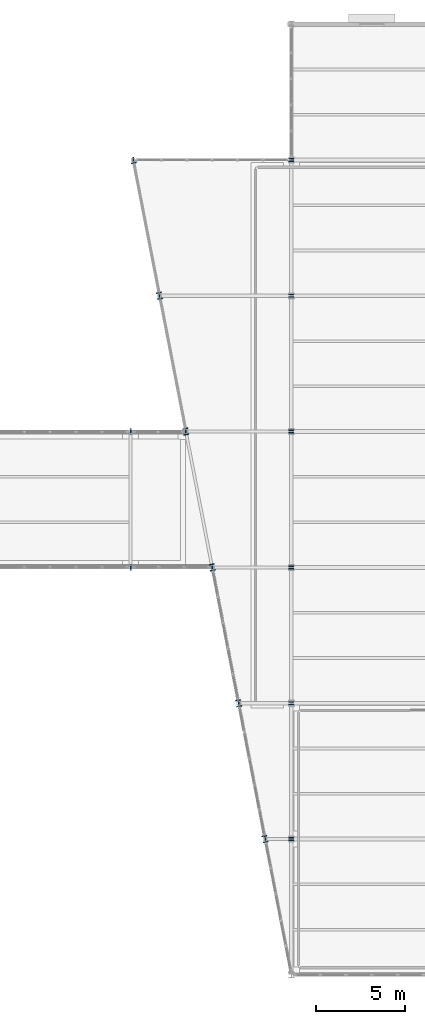
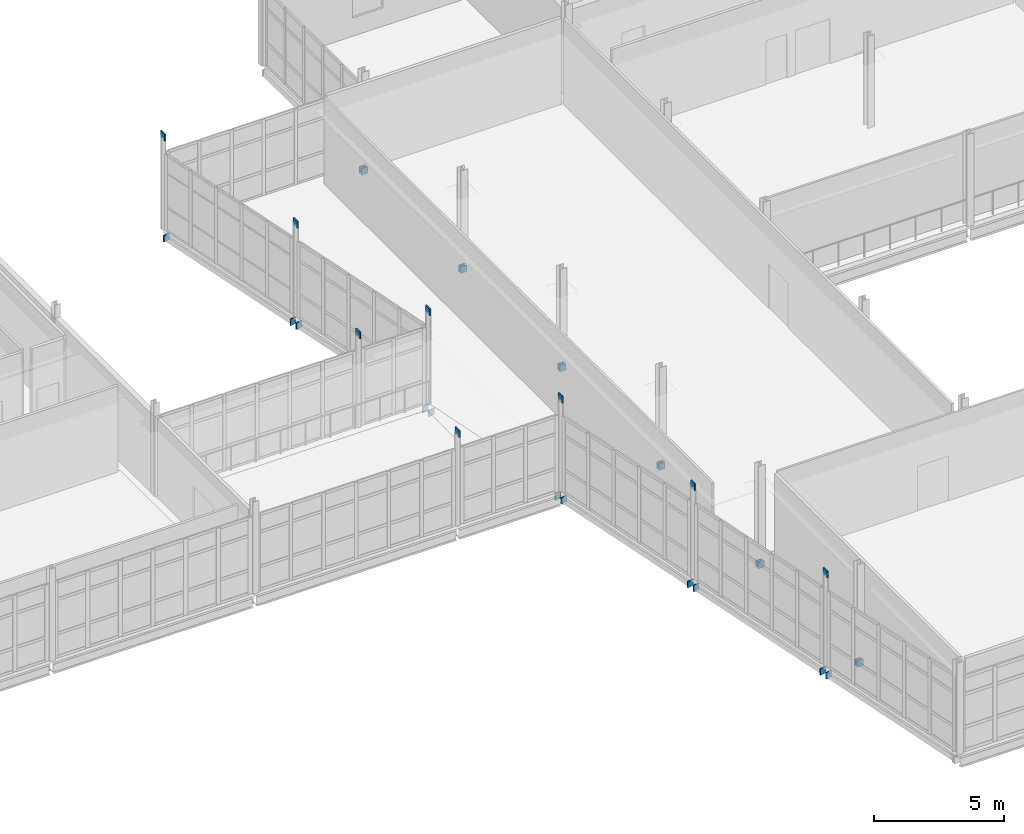
# One storey, part 146 of 166: 31 plates.
"""IFC4 building model written with IfcOpenShell, lengths in metres."""

from ifc_helpers import new_model, si_unit, direction, frame, origin, origin_2d, place, context, subcontext, project, spatial, rectangle, extrude, material, layer, layer_set, type_object, element, save


model = new_model("IFC4")

# Units and contexts
model_context = context("Model", 3, precision=1e-05, world=origin(), true_north=direction((0.0, 1.0)))
body_context = subcontext(model_context, "Body", "Model", "MODEL_VIEW")
ifc_project = project(units=[si_unit("LENGTHUNIT", "METRE"), si_unit("AREAUNIT", "SQUARE_METRE"), si_unit("VOLUMEUNIT", "CUBIC_METRE"), si_unit("PLANEANGLEUNIT", "RADIAN"), si_unit("MASSUNIT", "GRAM", prefix="KILO")], contexts=[model_context])

# Site, building, storey
site_placement = place(None, origin())
site = spatial("IfcSite", under=ifc_project, at=site_placement, CompositionType="ELEMENT")
building_placement = place(site_placement, origin())
building = spatial("IfcBuilding", under=site, at=building_placement, Name="Caisbarro Railhouse Central Library", CompositionType="ELEMENT")
storey_placement = place(building_placement, frame((0.0, 0.0, 9.360107421875)))
storey = spatial("IfcBuildingStorey", under=building, at=storey_placement, Name="L02", CompositionType="ELEMENT", Elevation=9.360107421875)

# Plates
ifc_material = material(Name="Steel ASTM A572 Grade 50", Category="steel")
ifc_layer_1 = layer(ifc_material, 0.044921875, Name="Steel ASTM A572 Grade 50")
ifc_layer_set_1 = layer_set([ifc_layer_1], Name="Steel ASTM A572 Grade 50")
plate_type_1 = type_object("IfcPlateType", Name="PLT-EP01", PredefinedType="SHEET", material=ifc_layer_set_1)
for number, where, z_axis, x_axis, name in (
    (1, (117.0, 68.33203125, -0.52001953125), (0.0, 0.0, 1.0), (0.0, 1.0, 0.0), "EP01 end cap plate"),
    (2, (117.0, 68.468017578125, -0.52001953125), (0.0, 0.0, 1.0), (0.0, 1.0, 0.0), "EP01 end cap plate"),
    (3, (117.0, 75.931884765625, -0.52001953125), (0.0, 0.0, 1.0), (0.0, 1.0, 0.0), "EP01 end cap plate"),
    (4, (117.0, 76.068115234375, -0.52001953125), (0.0, 0.0, 1.0), (0.0, 1.0, 0.0), "EP01 end cap plate"),
    (5, (117.0, 83.531982421875, -0.52001953125), (0.0, 0.0, 1.0), (0.0, 1.0, 0.0), "EP01 end cap plate"),
    (6, (117.0, 83.66796875, -0.52001953125), (0.0, 0.0, 1.0), (0.0, 1.0, 0.0), "EP01 end cap plate"),
    (7, (117.0, 91.132080078125, -0.52001953125), (0.0, 0.0, 1.0), (0.0, 1.0, 0.0), "EP01 end cap plate"),
    (8, (117.0, 91.26806640625, -0.52001953125), (0.0, 0.0, 1.0), (0.0, 1.0, 0.0), "EP01 end cap plate"),
    (9, (117.0, 98.73193359375, -0.52001953125), (0.0, 0.0, 1.0), (0.0, 1.0, 0.0), "EP01 end cap plate"),
    (10, (117.0, 98.867919921875, -0.52001953125), (0.0, 0.0, 1.0), (0.0, 1.0, 0.0), "EP01 end cap plate"),
    (11, (117.0, 106.33203125, -0.52001953125), (0.0, 0.0, 1.0), (0.0, 1.0, 0.0), "EP01 end cap plate"),
    (12, (117.0, 106.468017578125, -0.52001953125), (0.0, 0.0, 1.0), (0.0, 1.0, 0.0), "EP01 end cap plate"),
    (13, (115.554931640625, 68.235107421875, -0.4951171875), (0.0, 0.0, 1.0), (-0.190808995377, 0.981627183448, 0.0), "EP01 end cap plate"),
    (14, (115.490966796875, 68.56494140625, -0.4951171875), (0.0, 0.0, 1.0), (-0.190808995377, 0.981627183448, 0.0), "EP01 end cap plate"),
    (15, (114.0771484375, 75.8349609375, -0.4951171875), (0.0, 0.0, 1.0), (-0.190808995377, 0.981627183448, 0.0), "EP01 end cap plate"),
    (16, (114.012939453125, 76.1650390625, -0.4951171875), (0.0, 0.0, 1.0), (-0.190808995377, 0.981627183448, 0.0), "EP01 end cap plate"),
    (17, (112.60009765625, 83.43505859375, -0.4951171875), (0.0, 0.0, 1.0), (-0.190808995377, 0.981627183448, 0.0), "EP01 end cap plate"),
    (18, (112.535888671875, 83.764892578125, -0.4951171875), (0.0, 0.0, 1.0), (-0.190808995377, 0.981627183448, 0.0), "EP01 end cap plate"),
    (19, (111.123046875, 91.03515625, -0.4951171875), (0.0, 0.0, 1.0), (-0.190808995377, 0.981627183448, 0.0), "EP01 end cap plate"),
    (20, (111.05908203125, 91.364990234375, -0.4951171875), (0.0, 0.0, 1.0), (-0.190808995377, 0.981627183448, 0.0), "EP01 end cap plate"),
    (21, (109.64599609375, 98.635009765625, -0.4951171875), (0.0, 0.0, 1.0), (-0.190808995377, 0.981627183448, 0.0), "EP01 end cap plate"),
    (22, (109.581787109375, 98.96484375, -0.4951171875), (0.0, 0.0, 1.0), (-0.190808995377, 0.981627183448, 0.0), "EP01 end cap plate"),
    (23, (108.168212890625, 106.235107421875, -0.4951171875), (0.0, 0.0, 1.0), (-0.190808995377, 0.981627183448, 0.0), "EP01 end cap plate"),
):
    element("IfcPlate", number, at=place(storey_placement, frame(where, z_axis=z_axis, x_axis=x_axis)), inside=storey, type_object=plate_type_1, Name=name, PredefinedType="SHEET", context=body_context, shape_type="SweptSolid", body=[
        extrude(rectangle(XDim=0.044921875, YDim=0.280029296875, at=origin_2d()), origin(), (0.0, 0.0, 1.0), 0.300048828125),
    ])
ifc_layer_2 = layer(ifc_material, 0.054931640625, Name="Steel ASTM A572 Grade 50")
ifc_layer_set_2 = layer_set([ifc_layer_2], Name="Steel ASTM A572 Grade 50")
plate_type_2 = type_object("IfcPlateType", Name="PLT-EP02", PredefinedType="SHEET", material=ifc_layer_set_2)
for number, where, z_axis, x_axis, name in (
    (24, (108.0, 83.60009765625, 4.171875), (0.0, 0.0, 1.0), (1.0, 0.0, 0.0), "EP02 end cap plate"),
    (25, (108.0, 91.199951171875, 4.171875), (0.0, 0.0, 1.0), (1.0, 0.0, 0.0), "EP02 end cap plate"),
    (26, (108.135986328125, 106.39990234375, 4.171875), (0.0, 0.0, 1.0), (1.0, 0.0, 0.0), "EP02 end cap plate"),
    (27, (109.614013671875, 98.800048828125, 4.171875), (0.0, 0.0, 1.0), (1.0, 0.0, 0.0), "EP02 end cap plate"),
    (28, (111.091064453125, 91.199951171875, 4.171875), (0.0, 0.0, 1.0), (1.0, 0.0, 0.0), "EP02 end cap plate"),
    (29, (112.568115234375, 83.60009765625, 4.171875), (0.0, 0.0, 1.0), (1.0, 0.0, 0.0), "EP02 end cap plate"),
    (30, (114.044921875, 76.0, 4.171875), (0.0, 0.0, 1.0), (1.0, 0.0, 0.0), "EP02 end cap plate"),
    (31, (115.52294921875, 68.39990234375, 4.171875), (0.0, 0.0, 1.0), (1.0, 0.0, 0.0), "EP02 end cap plate"),
):
    element("IfcPlate", number, at=place(storey_placement, frame(where, z_axis=z_axis, x_axis=x_axis)), inside=storey, type_object=plate_type_2, Name=name, PredefinedType="SHEET", context=body_context, shape_type="SweptSolid", body=[
        extrude(rectangle(XDim=0.054931640625, YDim=0.320068359375, at=origin_2d()), origin(), (0.0, 0.0, 1.0), 0.320068359375),
    ])

save(model, "model.ifc")
